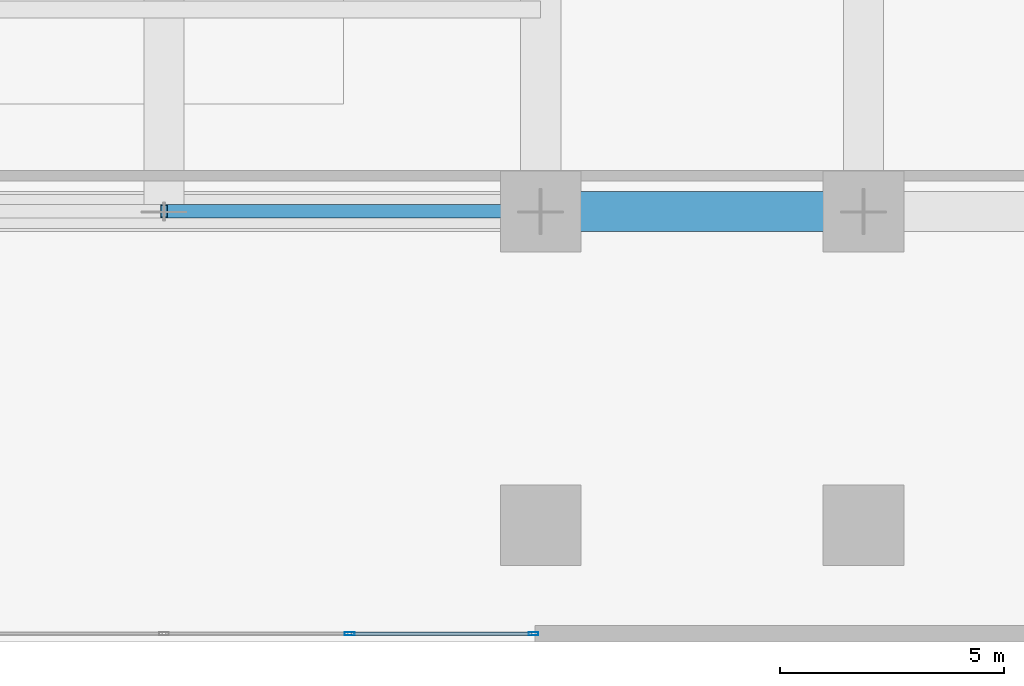
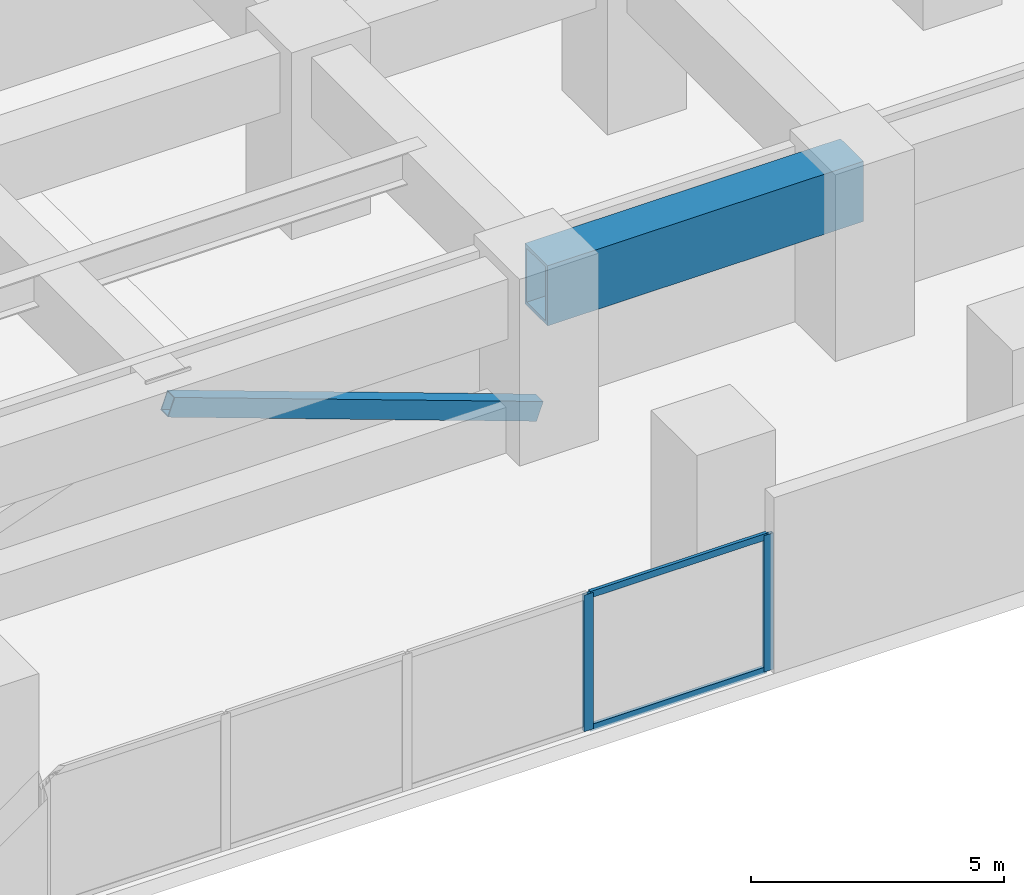
# One storey, part 4 of 25: 5 members, 1 beam, 1 element without a shape of its own.
"""IFC4 building model written with IfcOpenShell, lengths in metres."""

from ifc_helpers import new_model, si_unit, direction, frame, origin, origin_2d, place, context, subcontext, project, spatial, hollow_rectangle, extrude, material, layer, layer_set, material_profile, profile_set, type_object, element, aggregate, save


model = new_model("IFC4")

# Units and contexts
model_context = context("Model", 3, precision=1e-05, world=origin(), true_north=direction((0.0, 1.0)))
body_context = subcontext(model_context, "Body", "Model", "MODEL_VIEW")
ifc_project = project(units=[si_unit("LENGTHUNIT", "METRE"), si_unit("AREAUNIT", "SQUARE_METRE"), si_unit("VOLUMEUNIT", "CUBIC_METRE"), si_unit("PLANEANGLEUNIT", "RADIAN"), si_unit("MASSUNIT", "GRAM", prefix="KILO")], contexts=[model_context])

# Site, building, storey
site_placement = place(None, origin())
site = spatial("IfcSite", under=ifc_project, at=site_placement, CompositionType="ELEMENT")
building_placement = place(site_placement, origin())
building = spatial("IfcBuilding", under=site, at=building_placement, Name="Kiyonajd Concourse Tower", CompositionType="ELEMENT")
storey_placement = place(building_placement, frame((0.0, 0.0, 17.10009765625)))
storey = spatial("IfcBuildingStorey", under=building, at=storey_placement, Name="L05", CompositionType="ELEMENT", Elevation=17.10009765625)

# Beam
ifc_material_1 = material(Name="Steel ASTM A572 Grade 50", Category="steel")
ifc_material_profile_1 = material_profile(ifc_material_1, hollow_rectangle(XDim=0.89990234375, YDim=1.449951171875, WallThickness=0.074951171875, at=origin_2d()), Name="BOX-1450x900x75")
ifc_profile_set_1 = profile_set([ifc_material_profile_1], Name="Steel ASTM A572 Grade 50")
beam_type = type_object("IfcBeamType", Name="BM-XFER-1800", PredefinedType="BEAM", material=ifc_profile_set_1)
beam_placement = place(storey_placement, frame((56.39990234375, 9.60009765625, 3.514892578125), z_axis=(1.0, 0.0, 0.0), x_axis=(0.0, 1.0, 0.0)))
element("IfcBeam", 1, at=beam_placement, inside=storey, type_object=beam_type, Name="L05 Primary Transfer Girder", PredefinedType="BEAM", context=body_context, shape_type="SweptSolid", body=[
    extrude(hollow_rectangle(XDim=0.89990234375, YDim=1.449951171875, WallThickness=0.074951171875, at=origin_2d()), origin(), (0.0, 0.0, 1.0), 7.2001953125),
])

# Curtain wall, members
ifc_material_2 = material(Name="Thermally Broken Anodised Aluminium", Category="aluminium")
ifc_layer = layer(ifc_material_2, 0.179931640625)
ifc_layer_set = layer_set([ifc_layer], Name="Thermally Broken Anodised Aluminium")
curtain_wall_type = type_object("IfcCurtainWallType", Name="CW-SYS-01", PredefinedType="NOTDEFINED", material=ifc_layer_set)
curtain_wall_placement = place(storey_placement, origin())
curtain_wall = element("IfcCurtainWall", 2, at=curtain_wall_placement, inside=storey, type_object=curtain_wall_type, Name="L05 Unitised Curtain Wall CW1", PredefinedType="NOTDEFINED")
ifc_material_profile_2 = material_profile(ifc_material_2, hollow_rectangle(XDim=0.074951171875, YDim=0.219970703125, WallThickness=0.0048828125, at=origin_2d()), Name="MULL-75x220")
ifc_profile_set_2 = profile_set([ifc_material_profile_2], Name="Thermally Broken Anodised Aluminium")
member_type_1 = type_object("IfcMemberType", Name="MB-CW-MULL2", PredefinedType="MULLION", material=ifc_profile_set_2)
member_1_placement = place(storey_placement, frame((56.242431640625, 0.179931640625, 0.0), z_axis=(0.0, 0.0, 1.0), x_axis=(0.0, -1.0, 0.0)))
member_1 = element("IfcMember", 3, at=member_1_placement, type_object=member_type_1, Name="CW1 mullion 1", PredefinedType="MULLION", context=body_context, shape_type="SweptSolid", body=[
    extrude(hollow_rectangle(XDim=0.074951171875, YDim=0.219970703125, WallThickness=0.0048828125, at=origin_2d()), origin(), (0.0, 0.0, 1.0), 3.289794921875),
])
member_2_placement = place(storey_placement, frame((52.139892578125, 0.179931640625, 0.0), z_axis=(0.0, 0.0, 1.0), x_axis=(0.0, -1.0, 0.0)))
member_2 = element("IfcMember", 4, at=member_2_placement, type_object=member_type_1, Name="CW1 mullion 2", PredefinedType="MULLION", context=body_context, shape_type="SweptSolid", body=[
    extrude(hollow_rectangle(XDim=0.074951171875, YDim=0.219970703125, WallThickness=0.0048828125, at=origin_2d()), origin(), (0.0, 0.0, 1.0), 3.289794921875),
])
ifc_material_profile_3 = material_profile(ifc_material_2, hollow_rectangle(XDim=0.074951171875, YDim=0.159912109375, WallThickness=0.0048828125, at=origin_2d()), Name="TRAN-75x160")
ifc_profile_set_3 = profile_set([ifc_material_profile_3], Name="Thermally Broken Anodised Aluminium")
member_type_2 = type_object("IfcMemberType", Name="MB-CW-TRAN2", PredefinedType="USERDEFINED", material=ifc_profile_set_3)
member_3_placement = place(storey_placement, frame((56.205078125, 0.179931640625, 0.037353515625), z_axis=(-1.0, 0.0, 0.0), x_axis=(0.0, -1.0, 0.0)))
member_3 = element("IfcMember", 5, at=member_3_placement, type_object=member_type_2, Name="CW1 transom 1.1", ObjectType="TRANSOM", PredefinedType="USERDEFINED", context=body_context, shape_type="SweptSolid", body=[
    extrude(hollow_rectangle(XDim=0.074951171875, YDim=0.159912109375, WallThickness=0.0048828125, at=origin_2d()), origin(), (0.0, 0.0, 1.0), 4.027587890625),
])
member_4_placement = place(storey_placement, frame((56.205078125, 0.179931640625, 3.25244140625), z_axis=(-1.0, 0.0, 0.0), x_axis=(0.0, -1.0, 0.0)))
member_4 = element("IfcMember", 6, at=member_4_placement, type_object=member_type_2, Name="CW1 transom 1.2", ObjectType="TRANSOM", PredefinedType="USERDEFINED", context=body_context, shape_type="SweptSolid", body=[
    extrude(hollow_rectangle(XDim=0.074951171875, YDim=0.159912109375, WallThickness=0.0048828125, at=origin_2d()), origin(), (0.0, 0.0, 1.0), 4.027587890625),
])
aggregate(curtain_wall, [member_1, member_2, member_3, member_4])

# Member
ifc_material_3 = material(Name="Steel ASTM A500 Grade C", Category="steel")
ifc_material_profile_4 = material_profile(ifc_material_3, hollow_rectangle(XDim=0.300048828125, YDim=0.449951171875, WallThickness=0.02197265625, at=origin_2d()), Name="HSS-450x300x22")
ifc_profile_set_4 = profile_set([ifc_material_profile_4], Name="Steel ASTM A500 Grade C")
member_type_3 = type_object("IfcMemberType", Name="MB-OT-DIAG", PredefinedType="BRACE", material=ifc_profile_set_4)
member_5_placement = place(storey_placement, frame((56.39990234375, 9.60009765625, 0.5498046875), z_axis=(-0.9403126, 0.0, 0.340311936732), x_axis=(0.0, -1.0, 0.0)))
element("IfcMember", 7, at=member_5_placement, inside=storey, type_object=member_type_3, Name="L05 Transfer Truss Diagonal 14", PredefinedType="BRACE", context=body_context, shape_type="SweptSolid", body=[
    extrude(hollow_rectangle(XDim=0.300048828125, YDim=0.449951171875, WallThickness=0.02197265625, at=origin_2d()), origin(), (0.0, 0.0, 1.0), 8.93310546875),
])

save(model, "model.ifc")
